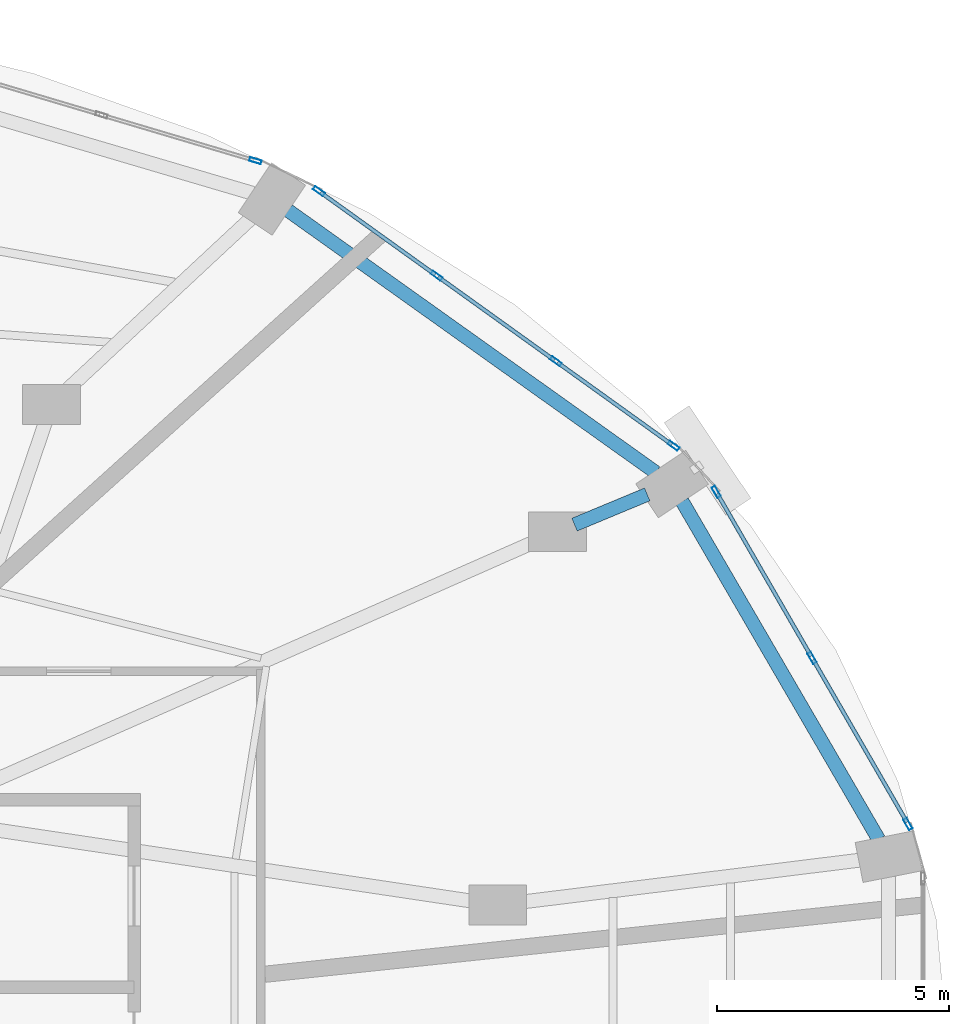
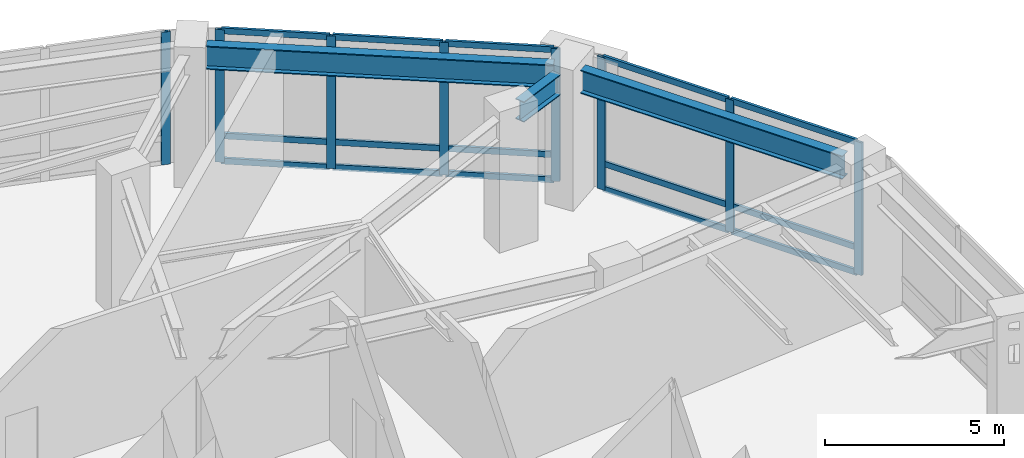
# One storey, part 17 of 24: 23 members, 3 beams, 3 elements without a shape of their own.
"""IFC4 building model written with IfcOpenShell, lengths in metres."""

from ifc_helpers import new_model, si_unit, direction, frame, origin, origin_2d, place, context, subcontext, project, spatial, hollow_rectangle, i_section, extrude, material, layer, layer_set, material_profile, profile_set, type_object, element, aggregate, save


model = new_model("IFC4")

# Units and contexts
model_context = context("Model", 3, precision=1e-05, world=origin(), true_north=direction((0.0, 1.0)))
body_context = subcontext(model_context, "Body", "Model", "MODEL_VIEW")
ifc_project = project(units=[si_unit("LENGTHUNIT", "METRE"), si_unit("AREAUNIT", "SQUARE_METRE"), si_unit("VOLUMEUNIT", "CUBIC_METRE"), si_unit("PLANEANGLEUNIT", "RADIAN"), si_unit("MASSUNIT", "GRAM", prefix="KILO")], contexts=[model_context])

# Site, building, storey
site_placement = place(None, origin())
site = spatial("IfcSite", under=ifc_project, at=site_placement, CompositionType="ELEMENT")
building_placement = place(site_placement, origin())
building = spatial("IfcBuilding", under=site, at=building_placement, Name="Lazwardi Medical Tower", CompositionType="ELEMENT")
storey_placement = place(building_placement, frame((0.0, 0.0, 10.800048828125)))
storey = spatial("IfcBuildingStorey", under=building, at=storey_placement, Name="L02", CompositionType="ELEMENT", Elevation=10.800048828125)

# Beams
ifc_material_1 = material(Name="Steel S355", Category="steel")
ifc_material_profile_1 = material_profile(ifc_material_1, i_section(OverallWidth=0.300048828125, OverallDepth=0.800048828125, WebThickness=0.017578125, FlangeThickness=0.032958984375, at=origin_2d()), Name="HEB 800")
ifc_profile_set_1 = profile_set([ifc_material_profile_1], Name="Steel S355")
beam_type_1 = type_object("IfcBeamType", Name="BM-RB-P1", PredefinedType="BEAM", material=ifc_profile_set_1)
beam_1_placement = place(storey_placement, frame((66.482421875, 35.122314453125, 4.119873046875), z_axis=(-0.502605874383, 0.864515665003, 0.0), x_axis=(-0.864515665003, -0.502605874383, 0.0)))
element("IfcBeam", 1, at=beam_1_placement, inside=storey, type_object=beam_type_1, Name="Ring beam RB-01 B05 L02", PredefinedType="BEAM", context=body_context, shape_type="SweptSolid", body=[
    extrude(i_section(OverallWidth=0.300048828125, OverallDepth=0.800048828125, WebThickness=0.017578125, FlangeThickness=0.032958984375, at=origin_2d()), origin(), (0.0, 0.0, 1.0), 8.4384765625),
])
beam_2_placement = place(storey_placement, frame((61.6748046875, 43.038818359375, 4.119873046875), z_axis=(-0.814437186887, 0.580251728663, 0.0), x_axis=(-0.580251728663, -0.814437186887, 0.0)))
element("IfcBeam", 2, at=beam_2_placement, inside=storey, type_object=beam_type_1, Name="Ring beam RB-01 B06 L02", PredefinedType="BEAM", context=body_context, shape_type="SweptSolid", body=[
    extrude(i_section(OverallWidth=0.300048828125, OverallDepth=0.800048828125, WebThickness=0.017578125, FlangeThickness=0.032958984375, at=origin_2d()), origin(), (0.0, 0.0, 1.0), 9.743408203125),
])
ifc_material_profile_2 = material_profile(ifc_material_1, i_section(OverallWidth=0.300048828125, OverallDepth=0.699951171875, WebThickness=0.01708984375, FlangeThickness=0.031982421875, at=origin_2d()), Name="HEB 700")
ifc_profile_set_2 = profile_set([ifc_material_profile_2], Name="Steel S355")
beam_type_2 = type_object("IfcBeamType", Name="BM-RG-P1", PredefinedType="BEAM", material=ifc_profile_set_2)
beam_3_placement = place(storey_placement, frame((61.489501953125, 42.56640625, 4.169921875), z_axis=(-0.923382441077, -0.383881319565, 0.0), x_axis=(0.383881319565, -0.923382441077, 0.0)))
element("IfcBeam", 3, at=beam_3_placement, inside=storey, type_object=beam_type_2, Name="Radial girder RG-01 R06A L02", PredefinedType="BEAM", context=body_context, shape_type="SweptSolid", body=[
    extrude(i_section(OverallWidth=0.300048828125, OverallDepth=0.699951171875, WebThickness=0.01708984375, FlangeThickness=0.031982421875, at=origin_2d()), origin(), (0.0, 0.0, 1.0), 1.70068359375),
])

# Curtain wall, members
ifc_material_2 = material(Name="Anodised bronze aluminium and solar control glazing", Category="aluminium")
ifc_layer = layer(ifc_material_2, 0.219970703125)
ifc_layer_set = layer_set([ifc_layer], Name="Anodised bronze aluminium and solar control glazing")
curtain_wall_type = type_object("IfcCurtainWallType", Name="CW-SYS-01", PredefinedType="NOTDEFINED", material=ifc_layer_set)
curtain_wall_1_placement = place(storey_placement, origin())
curtain_wall_1 = element("IfcCurtainWall", 4, at=curtain_wall_1_placement, inside=storey, type_object=curtain_wall_type, Name="L02 Unitised bronze curtain wall CW-01", PredefinedType="NOTDEFINED")
ifc_material_3 = material(Name="Anodised bronze aluminium", Category="aluminium")
ifc_material_profile_3 = material_profile(ifc_material_3, hollow_rectangle(XDim=0.0849609375, YDim=0.260009765625, WallThickness=0.0048828125, at=origin_2d()), Name="ALU-MULLION 260x85x5")
ifc_profile_set_3 = profile_set([ifc_material_profile_3], Name="Anodised bronze aluminium")
member_type_1 = type_object("IfcMemberType", Name="CW-MUL-02", PredefinedType="MULLION", material=ifc_profile_set_3)
member_1_placement = place(storey_placement, frame((67.1142578125, 35.4541015625, 0.0), z_axis=(0.0, 0.0, 1.0), x_axis=(-0.866180607783, -0.499731082384, 0.0)))
member_1 = element("IfcMember", 5, at=member_1_placement, type_object=member_type_1, Name="CW-01 mullion 1", PredefinedType="MULLION", context=body_context, shape_type="SweptSolid", body=[
    extrude(hollow_rectangle(XDim=0.0849609375, YDim=0.260009765625, WallThickness=0.0048828125, at=origin_2d()), origin(), (0.0, 0.0, 1.0), 4.52001953125),
])
member_2_placement = place(storey_placement, frame((65.04638671875, 39.0380859375, 0.0), z_axis=(0.0, 0.0, 1.0), x_axis=(-0.866180607783, -0.499731082384, 0.0)))
member_2 = element("IfcMember", 6, at=member_2_placement, type_object=member_type_1, Name="CW-01 mullion 2", PredefinedType="MULLION", context=body_context, shape_type="SweptSolid", body=[
    extrude(hollow_rectangle(XDim=0.0849609375, YDim=0.260009765625, WallThickness=0.0048828125, at=origin_2d()), origin(), (0.0, 0.0, 1.0), 4.52001953125),
])
member_3_placement = place(storey_placement, frame((62.978759765625, 42.6220703125, 0.0), z_axis=(0.0, 0.0, 1.0), x_axis=(-0.866180607783, -0.499731082384, 0.0)))
member_3 = element("IfcMember", 7, at=member_3_placement, type_object=member_type_1, Name="CW-01 mullion 3", PredefinedType="MULLION", context=body_context, shape_type="SweptSolid", body=[
    extrude(hollow_rectangle(XDim=0.0849609375, YDim=0.260009765625, WallThickness=0.0048828125, at=origin_2d()), origin(), (0.0, 0.0, 1.0), 4.52001953125),
])

curtain_wall_2_placement = place(storey_placement, origin())
curtain_wall_2 = element("IfcCurtainWall", 8, at=curtain_wall_2_placement, inside=storey, type_object=curtain_wall_type, Name="L02 Unitised bronze curtain wall CW-01", PredefinedType="NOTDEFINED")
member_4_placement = place(storey_placement, frame((62.056640625, 43.614501953125, 0.0), z_axis=(0.0, 0.0, 1.0), x_axis=(-0.583214260584, -0.812318365083, 0.0)))
member_4 = element("IfcMember", 9, at=member_4_placement, type_object=member_type_1, Name="CW-01 mullion 1", PredefinedType="MULLION", context=body_context, shape_type="SweptSolid", body=[
    extrude(hollow_rectangle(XDim=0.0849609375, YDim=0.260009765625, WallThickness=0.0048828125, at=origin_2d()), origin(), (0.0, 0.0, 1.0), 4.52001953125),
])
member_5_placement = place(storey_placement, frame((59.517822265625, 45.437255859375, 0.0), z_axis=(0.0, 0.0, 1.0), x_axis=(-0.583214260584, -0.812318365083, 0.0)))
member_5 = element("IfcMember", 10, at=member_5_placement, type_object=member_type_1, Name="CW-01 mullion 2", PredefinedType="MULLION", context=body_context, shape_type="SweptSolid", body=[
    extrude(hollow_rectangle(XDim=0.0849609375, YDim=0.260009765625, WallThickness=0.0048828125, at=origin_2d()), origin(), (0.0, 0.0, 1.0), 4.52001953125),
])
member_6_placement = place(storey_placement, frame((56.944580078125, 47.28466796875, 0.0), z_axis=(0.0, 0.0, 1.0), x_axis=(-0.583214260584, -0.812318365083, 0.0)))
member_6 = element("IfcMember", 11, at=member_6_placement, type_object=member_type_1, Name="CW-01 mullion 3", PredefinedType="MULLION", context=body_context, shape_type="SweptSolid", body=[
    extrude(hollow_rectangle(XDim=0.0849609375, YDim=0.260009765625, WallThickness=0.0048828125, at=origin_2d()), origin(), (0.0, 0.0, 1.0), 4.52001953125),
])
member_7_placement = place(storey_placement, frame((54.40576171875, 49.107421875, 0.0), z_axis=(0.0, 0.0, 1.0), x_axis=(-0.583214260584, -0.812318365083, 0.0)))
member_7 = element("IfcMember", 12, at=member_7_placement, type_object=member_type_1, Name="CW-01 mullion 4", PredefinedType="MULLION", context=body_context, shape_type="SweptSolid", body=[
    extrude(hollow_rectangle(XDim=0.0849609375, YDim=0.260009765625, WallThickness=0.0048828125, at=origin_2d()), origin(), (0.0, 0.0, 1.0), 4.52001953125),
])

# Curtain wall, member
curtain_wall_3_placement = place(storey_placement, origin())
curtain_wall_3 = element("IfcCurtainWall", 13, at=curtain_wall_3_placement, inside=storey, type_object=curtain_wall_type, Name="L02 Unitised bronze curtain wall CW-01", PredefinedType="NOTDEFINED")
member_8_placement = place(storey_placement, frame((53.033935546875, 49.766357421875, 0.0), z_axis=(0.0, 0.0, 1.0), x_axis=(-0.285047195531, -0.958513482597, 0.0)))
member_8 = element("IfcMember", 14, at=member_8_placement, type_object=member_type_1, Name="CW-01 mullion 1", PredefinedType="MULLION", context=body_context, shape_type="SweptSolid", body=[
    extrude(hollow_rectangle(XDim=0.0849609375, YDim=0.260009765625, WallThickness=0.0048828125, at=origin_2d()), origin(), (0.0, 0.0, 1.0), 4.52001953125),
])
aggregate(curtain_wall_3, [member_8])

# Member
ifc_material_profile_4 = material_profile(ifc_material_3, hollow_rectangle(XDim=0.0849609375, YDim=0.199951171875, WallThickness=0.00439453125, at=origin_2d()), Name="ALU-TRANSOM 200x85x4.5")
ifc_profile_set_4 = profile_set([ifc_material_profile_4], Name="Anodised bronze aluminium")
member_type_2 = type_object("IfcMemberType", Name="CW-TRN-02", PredefinedType="USERDEFINED", material=ifc_profile_set_4)
member_9_placement = place(storey_placement, frame((67.093017578125, 35.49072265625, 0.04248046875), z_axis=(-0.499741574693, 0.866174554304, 0.0), x_axis=(-0.866174554304, -0.499741574693, 0.0)))
member_9 = element("IfcMember", 15, at=member_9_placement, type_object=member_type_2, Name="CW-01 transom 1.1", ObjectType="TRANSOM", PredefinedType="USERDEFINED", context=body_context, shape_type="SweptSolid", body=[
    extrude(hollow_rectangle(XDim=0.0849609375, YDim=0.199951171875, WallThickness=0.00439453125, at=origin_2d()), origin(), (0.0, 0.0, 1.0), 4.052978515625),
])

member_10_placement = place(storey_placement, frame((67.093017578125, 35.49072265625, 0.89990234375), z_axis=(-0.499741574693, 0.866174554304, 0.0), x_axis=(-0.866174554304, -0.499741574693, 0.0)))
member_10 = element("IfcMember", 16, at=member_10_placement, type_object=member_type_2, Name="CW-01 transom 1.2", ObjectType="TRANSOM", PredefinedType="USERDEFINED", context=body_context, shape_type="SweptSolid", body=[
    extrude(hollow_rectangle(XDim=0.0849609375, YDim=0.199951171875, WallThickness=0.00439453125, at=origin_2d()), origin(), (0.0, 0.0, 1.0), 4.052978515625),
])

member_11_placement = place(storey_placement, frame((67.093017578125, 35.49072265625, 4.4775390625), z_axis=(-0.499741574693, 0.866174554304, 0.0), x_axis=(-0.866174554304, -0.499741574693, 0.0)))
member_11 = element("IfcMember", 17, at=member_11_placement, type_object=member_type_2, Name="CW-01 transom 1.3", ObjectType="TRANSOM", PredefinedType="USERDEFINED", context=body_context, shape_type="SweptSolid", body=[
    extrude(hollow_rectangle(XDim=0.0849609375, YDim=0.199951171875, WallThickness=0.00439453125, at=origin_2d()), origin(), (0.0, 0.0, 1.0), 4.052978515625),
])

member_12_placement = place(storey_placement, frame((65.025146484375, 39.074951171875, 0.04248046875), z_axis=(-0.499767651026, 0.866159508975, 0.0), x_axis=(-0.866159508975, -0.499767651026, 0.0)))
member_12 = element("IfcMember", 18, at=member_12_placement, type_object=member_type_2, Name="CW-01 transom 2.1", ObjectType="TRANSOM", PredefinedType="USERDEFINED", context=body_context, shape_type="SweptSolid", body=[
    extrude(hollow_rectangle(XDim=0.0849609375, YDim=0.199951171875, WallThickness=0.00439453125, at=origin_2d()), origin(), (0.0, 0.0, 1.0), 4.052734375),
])

member_13_placement = place(storey_placement, frame((65.025146484375, 39.074951171875, 0.89990234375), z_axis=(-0.499767651026, 0.866159508975, 0.0), x_axis=(-0.866159508975, -0.499767651026, 0.0)))
member_13 = element("IfcMember", 19, at=member_13_placement, type_object=member_type_2, Name="CW-01 transom 2.2", ObjectType="TRANSOM", PredefinedType="USERDEFINED", context=body_context, shape_type="SweptSolid", body=[
    extrude(hollow_rectangle(XDim=0.0849609375, YDim=0.199951171875, WallThickness=0.00439453125, at=origin_2d()), origin(), (0.0, 0.0, 1.0), 4.052734375),
])

member_14_placement = place(storey_placement, frame((65.025146484375, 39.074951171875, 4.4775390625), z_axis=(-0.499767651026, 0.866159508975, 0.0), x_axis=(-0.866159508975, -0.499767651026, 0.0)))
member_14 = element("IfcMember", 20, at=member_14_placement, type_object=member_type_2, Name="CW-01 transom 2.3", ObjectType="TRANSOM", PredefinedType="USERDEFINED", context=body_context, shape_type="SweptSolid", body=[
    extrude(hollow_rectangle(XDim=0.0849609375, YDim=0.199951171875, WallThickness=0.00439453125, at=origin_2d()), origin(), (0.0, 0.0, 1.0), 4.052734375),
])

aggregate(curtain_wall_1, [member_1, member_2, member_3, member_9, member_10, member_11, member_12, member_13, member_14])

member_15_placement = place(storey_placement, frame((62.02197265625, 43.63916015625, 0.04248046875), z_axis=(-0.812314954496, 0.583219010924, 0.0), x_axis=(-0.583219010924, -0.812314954496, 0.0)))
member_15 = element("IfcMember", 21, at=member_15_placement, type_object=member_type_2, Name="CW-01 transom 1.1", ObjectType="TRANSOM", PredefinedType="USERDEFINED", context=body_context, shape_type="SweptSolid", body=[
    extrude(hollow_rectangle(XDim=0.0849609375, YDim=0.199951171875, WallThickness=0.00439453125, at=origin_2d()), origin(), (0.0, 0.0, 1.0), 3.040283203125),
])

member_16_placement = place(storey_placement, frame((62.02197265625, 43.63916015625, 0.89990234375), z_axis=(-0.812314954496, 0.583219010924, 0.0), x_axis=(-0.583219010924, -0.812314954496, 0.0)))
member_16 = element("IfcMember", 22, at=member_16_placement, type_object=member_type_2, Name="CW-01 transom 1.2", ObjectType="TRANSOM", PredefinedType="USERDEFINED", context=body_context, shape_type="SweptSolid", body=[
    extrude(hollow_rectangle(XDim=0.0849609375, YDim=0.199951171875, WallThickness=0.00439453125, at=origin_2d()), origin(), (0.0, 0.0, 1.0), 3.040283203125),
])

member_17_placement = place(storey_placement, frame((62.02197265625, 43.63916015625, 4.4775390625), z_axis=(-0.812314954496, 0.583219010924, 0.0), x_axis=(-0.583219010924, -0.812314954496, 0.0)))
member_17 = element("IfcMember", 23, at=member_17_placement, type_object=member_type_2, Name="CW-01 transom 1.3", ObjectType="TRANSOM", PredefinedType="USERDEFINED", context=body_context, shape_type="SweptSolid", body=[
    extrude(hollow_rectangle(XDim=0.0849609375, YDim=0.199951171875, WallThickness=0.00439453125, at=origin_2d()), origin(), (0.0, 0.0, 1.0), 3.040283203125),
])

member_18_placement = place(storey_placement, frame((59.4833984375, 45.4619140625, 0.04248046875), z_axis=(-0.81231315212, 0.583221521287, 0.0), x_axis=(-0.583221521287, -0.81231315212, 0.0)))
member_18 = element("IfcMember", 24, at=member_18_placement, type_object=member_type_2, Name="CW-01 transom 2.1", ObjectType="TRANSOM", PredefinedType="USERDEFINED", context=body_context, shape_type="SweptSolid", body=[
    extrude(hollow_rectangle(XDim=0.0849609375, YDim=0.199951171875, WallThickness=0.00439453125, at=origin_2d()), origin(), (0.0, 0.0, 1.0), 3.0830078125),
])

member_19_placement = place(storey_placement, frame((59.4833984375, 45.4619140625, 0.89990234375), z_axis=(-0.81231315212, 0.583221521287, 0.0), x_axis=(-0.583221521287, -0.81231315212, 0.0)))
member_19 = element("IfcMember", 25, at=member_19_placement, type_object=member_type_2, Name="CW-01 transom 2.2", ObjectType="TRANSOM", PredefinedType="USERDEFINED", context=body_context, shape_type="SweptSolid", body=[
    extrude(hollow_rectangle(XDim=0.0849609375, YDim=0.199951171875, WallThickness=0.00439453125, at=origin_2d()), origin(), (0.0, 0.0, 1.0), 3.0830078125),
])

member_20_placement = place(storey_placement, frame((59.4833984375, 45.4619140625, 4.4775390625), z_axis=(-0.81231315212, 0.583221521287, 0.0), x_axis=(-0.583221521287, -0.81231315212, 0.0)))
member_20 = element("IfcMember", 26, at=member_20_placement, type_object=member_type_2, Name="CW-01 transom 2.3", ObjectType="TRANSOM", PredefinedType="USERDEFINED", context=body_context, shape_type="SweptSolid", body=[
    extrude(hollow_rectangle(XDim=0.0849609375, YDim=0.199951171875, WallThickness=0.00439453125, at=origin_2d()), origin(), (0.0, 0.0, 1.0), 3.0830078125),
])

member_21_placement = place(storey_placement, frame((56.909912109375, 47.3095703125, 0.04248046875), z_axis=(-0.812314954496, 0.583219010924, 0.0), x_axis=(-0.583219010924, -0.812314954496, 0.0)))
member_21 = element("IfcMember", 27, at=member_21_placement, type_object=member_type_2, Name="CW-01 transom 3.1", ObjectType="TRANSOM", PredefinedType="USERDEFINED", context=body_context, shape_type="SweptSolid", body=[
    extrude(hollow_rectangle(XDim=0.0849609375, YDim=0.199951171875, WallThickness=0.00439453125, at=origin_2d()), origin(), (0.0, 0.0, 1.0), 3.040283203125),
])

member_22_placement = place(storey_placement, frame((56.909912109375, 47.3095703125, 0.89990234375), z_axis=(-0.812314954496, 0.583219010924, 0.0), x_axis=(-0.583219010924, -0.812314954496, 0.0)))
member_22 = element("IfcMember", 28, at=member_22_placement, type_object=member_type_2, Name="CW-01 transom 3.2", ObjectType="TRANSOM", PredefinedType="USERDEFINED", context=body_context, shape_type="SweptSolid", body=[
    extrude(hollow_rectangle(XDim=0.0849609375, YDim=0.199951171875, WallThickness=0.00439453125, at=origin_2d()), origin(), (0.0, 0.0, 1.0), 3.040283203125),
])

member_23_placement = place(storey_placement, frame((56.909912109375, 47.3095703125, 4.4775390625), z_axis=(-0.812314954496, 0.583219010924, 0.0), x_axis=(-0.583219010924, -0.812314954496, 0.0)))
member_23 = element("IfcMember", 29, at=member_23_placement, type_object=member_type_2, Name="CW-01 transom 3.3", ObjectType="TRANSOM", PredefinedType="USERDEFINED", context=body_context, shape_type="SweptSolid", body=[
    extrude(hollow_rectangle(XDim=0.0849609375, YDim=0.199951171875, WallThickness=0.00439453125, at=origin_2d()), origin(), (0.0, 0.0, 1.0), 3.040283203125),
])

aggregate(curtain_wall_2, [member_4, member_5, member_6, member_7, member_15, member_16, member_17, member_18, member_19, member_20, member_21, member_22, member_23])

save(model, "model.ifc")
